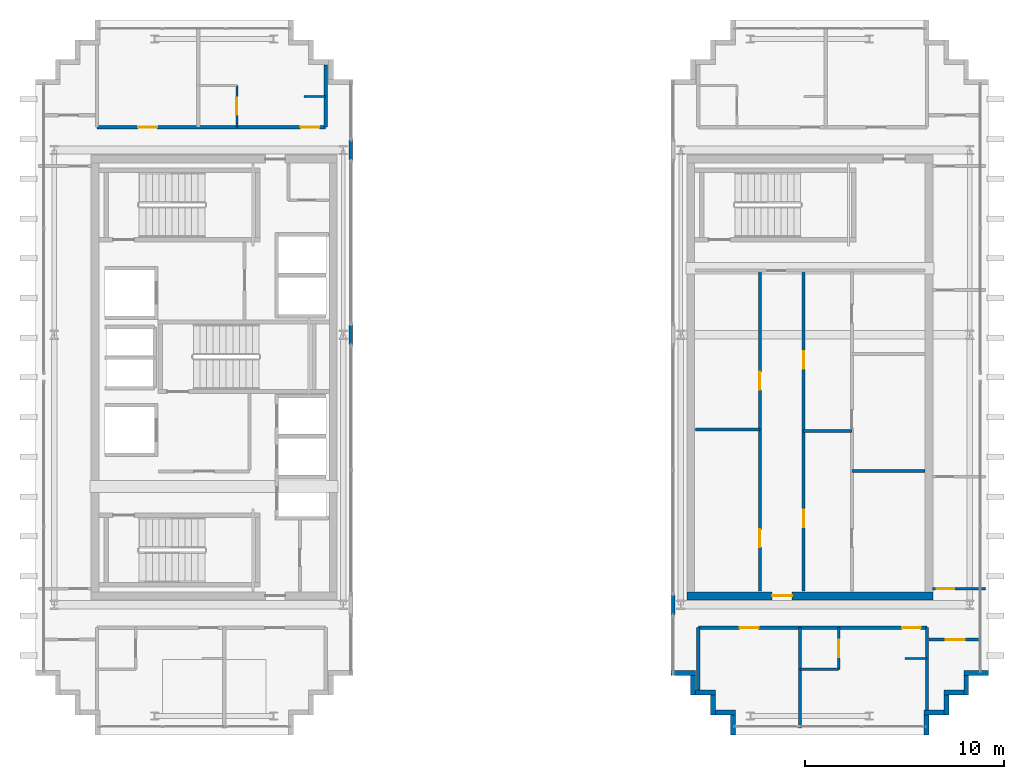
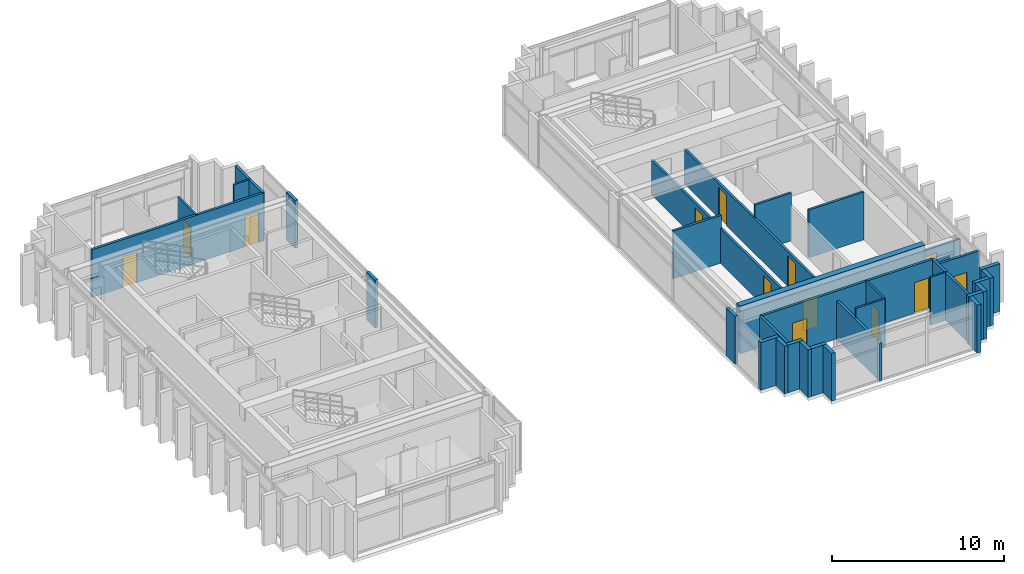
# One storey, part 21 of 25: 34 walls, 13 doors, 13 openings.
"""IFC4 building model written with IfcOpenShell, lengths in metres."""

from ifc_helpers import new_model, si_unit, direction, frame, frame_2d, origin, place, context, subcontext, project, spatial, rectangle, extrude, source, transform, mapped, material, layer, layer_set, type_object, element, fill, save


model = new_model("IFC4")

# Units and contexts
model_context = context("Model", 3, precision=1e-05, world=origin(), true_north=direction((0.0, 1.0)))
body_context = subcontext(model_context, "Body", "Model", "MODEL_VIEW")
ifc_project = project(units=[si_unit("LENGTHUNIT", "METRE"), si_unit("AREAUNIT", "SQUARE_METRE"), si_unit("VOLUMEUNIT", "CUBIC_METRE"), si_unit("PLANEANGLEUNIT", "RADIAN"), si_unit("MASSUNIT", "GRAM", prefix="KILO")], contexts=[model_context])

# Site, building, storey
site_placement = place(None, origin())
site = spatial("IfcSite", under=ifc_project, at=site_placement, CompositionType="ELEMENT")
building_placement = place(site_placement, origin())
building = spatial("IfcBuilding", under=site, at=building_placement, Name="Ocotamira Hotel", CompositionType="ELEMENT")
storey_placement = place(building_placement, frame((0.0, 0.0, 261.60009765625)))
storey = spatial("IfcBuildingStorey", under=building, at=storey_placement, Name="L66", CompositionType="ELEMENT", Elevation=261.60009765625)

# Wall, opening, door
ifc_material_1 = material(Name="Concrete C50/60", Category="concrete")
ifc_layer_1 = layer(ifc_material_1, 0.39990234375)
ifc_layer_set_1 = layer_set([ifc_layer_1], Name="Concrete C50/60")
wall_type_1 = type_object("IfcWallType", Name="WL-CORE-400", PredefinedType="SHEAR", material=ifc_layer_set_1)
wall_1_placement = place(storey_placement, frame((40.800048828125, 15.0, 0.0), z_axis=(0.0, 0.0, 1.0), x_axis=(1.0, 0.0, 0.0)))
wall_1 = element("IfcWall", 1, at=wall_1_placement, inside=storey, type_object=wall_type_1, Name="L66 Shear Core Wall ECORE-S", PredefinedType="SHEAR", context=body_context, shape_type="SweptSolid", body=[
    extrude(rectangle(XDim=12.39990234375, YDim=0.39990234375, at=frame_2d((6.199951171875, 0.0))), origin(), (0.0, 0.0, 1.0), 3.3798828125),
])
opening_1_placement = place(wall_1_placement, frame((4.300048828125, 0.0, 0.0)))
opening_1 = element("IfcOpeningElement", 2, at=opening_1_placement, cuts=wall_1, Name="Opening D-FR2", PredefinedType="OPENING", context=body_context, shape_type="SweptSolid", body=[
    extrude(rectangle(XDim=1.0, YDim=2.14990234375, at=frame_2d((0.5, 1.074951171875))), frame((0.0, 0.2099609375, 0.0), z_axis=(0.0, -1.0, 0.0), x_axis=(1.0, 0.0, 0.0)), (0.0, 0.0, 1.0), 0.419921875),
])
ifc_material_2 = material(Name="Fire-rated acoustic timber-veneer door", Category="wood")
door_type_1 = type_object("IfcDoorType", Name="DR-FIRE-1000", OperationType="NOTDEFINED", PredefinedType="DOOR", material=ifc_material_2)
shared_shape_1 = source(origin(), body_context, "Body", "SweptSolid", [
    extrude(rectangle(XDim=1.0, YDim=2.14990234375, at=frame_2d((0.5, 1.074951171875))), frame((0.0, 0.02490234375, 0.0), z_axis=(0.0, -1.0, 0.0), x_axis=(1.0, 0.0, 0.0)), (0.0, 0.0, 1.0), 0.050048828125),
])
door_1_placement = place(opening_1_placement, origin())
door_1 = element("IfcDoor", 3, at=door_1_placement, inside=storey, type_object=door_type_1, Name="L66 Door ID-L66-ELOB-S-D [ID-L66-ELOB-S-D]", OperationType="SINGLE_SWING_RIGHT", OverallHeight=2.14990234375, OverallWidth=1.0, PredefinedType="DOOR", context=body_context, shape_type="MappedRepresentation", body=[
    mapped(shared_shape_1, transform((0.0, 0.0, 0.0), scale=1.0)),
])
fill(opening_1, door_1)

# Walls
ifc_material_3 = material(Name="Precast concrete C45/55", Category="concrete")
ifc_layer_2 = layer(ifc_material_3, 0.25)
ifc_layer_set_2 = layer_set([ifc_layer_2], Name="Precast concrete C45/55")
wall_type_2 = type_object("IfcWallType", Name="WL-EXT-SER-250", PredefinedType="SOLIDWALL", material=ifc_layer_set_2)
for number, where, z_axis, x_axis, name in (
    (4, (52.875, 8.0, 0.0), (0.0, 0.0, 1.0), (0.0, 1.0, 0.0), "L66 -E Serrated Corner Wall 01"),
    (5, (52.75, 9.125, 0.0), (0.0, 0.0, 1.0), (1.0, 0.0, 0.0), "L66 -E Serrated Corner Wall 02"),
    (6, (53.875, 9.0, 0.0), (0.0, 0.0, 1.0), (0.0, 1.0, 0.0), "L66 -E Serrated Corner Wall 03"),
    (7, (53.75, 10.125, 0.0), (0.0, 0.0, 1.0), (1.0, 0.0, 0.0), "L66 -E Serrated Corner Wall 04"),
    (8, (54.875, 10.0, 0.0), (0.0, 0.0, 1.0), (0.0, 1.0, 0.0), "L66 -E Serrated Corner Wall 05"),
):
    element("IfcWall", number, at=place(storey_placement, frame(where, z_axis=z_axis, x_axis=x_axis)), inside=storey, type_object=wall_type_2, Name=name, PredefinedType="SOLIDWALL", context=body_context, shape_type="SweptSolid", body=[
        extrude(rectangle(XDim=1.0, YDim=0.25, at=frame_2d((0.5, 0.0))), origin(), (0.0, 0.0, 1.0), 3.3798828125),
    ])
for number, where, z_axis, x_axis, name in (
    (9, (54.75, 11.125, 0.0), (0.0, 0.0, 1.0), (1.0, 0.0, 0.0), "L66 -E Serrated Corner Wall 06"),
    (10, (40.0, 11.125, 0.0), (0.0, 0.0, 1.0), (1.0, 0.0, 0.0), "L66 -E Serrated Corner Wall 19"),
):
    element("IfcWall", number, at=place(storey_placement, frame(where, z_axis=z_axis, x_axis=x_axis)), inside=storey, type_object=wall_type_2, Name=name, PredefinedType="SOLIDWALL", context=body_context, shape_type="SweptSolid", body=[
        extrude(rectangle(XDim=1.25, YDim=0.25, at=frame_2d((0.625, 0.0))), origin(), (0.0, 0.0, 1.0), 3.3798828125),
    ])
for number, where, z_axis, x_axis, name in (
    (11, (41.125, 11.0, 0.0), (0.0, 0.0, 1.0), (0.0, -1.0, 0.0), "L66 -E Serrated Corner Wall 20"),
    (12, (41.25, 10.125, 0.0), (0.0, 0.0, 1.0), (1.0, 0.0, 0.0), "L66 -E Serrated Corner Wall 21"),
    (13, (42.125, 10.0, 0.0), (0.0, 0.0, 1.0), (0.0, -1.0, 0.0), "L66 -E Serrated Corner Wall 22"),
    (14, (42.25, 9.125, 0.0), (0.0, 0.0, 1.0), (1.0, 0.0, 0.0), "L66 -E Serrated Corner Wall 23"),
    (15, (43.125, 9.0, 0.0), (0.0, 0.0, 1.0), (0.0, -1.0, 0.0), "L66 -E Serrated Corner Wall 24"),
):
    element("IfcWall", number, at=place(storey_placement, frame(where, z_axis=z_axis, x_axis=x_axis)), inside=storey, type_object=wall_type_2, Name=name, PredefinedType="SOLIDWALL", context=body_context, shape_type="SweptSolid", body=[
        extrude(rectangle(XDim=1.0, YDim=0.25, at=frame_2d((0.5, 0.0))), origin(), (0.0, 0.0, 1.0), 3.3798828125),
    ])

# Wall, openings, doors
ifc_material_4 = material(Name="Acoustic double-layer fire gypsum board partition", Category="gypsum")
ifc_layer_3 = layer(ifc_material_4, 0.159912109375)
ifc_layer_set_3 = layer_set([ifc_layer_3], Name="Acoustic double-layer fire gypsum board partition")
wall_type_3 = type_object("IfcWallType", Name="WL-FIRE-160", PredefinedType="PARTITIONING", material=ifc_layer_set_3)
wall_2_placement = place(storey_placement, frame((11.10009765625, 38.60009765625, 0.0), z_axis=(0.0, 0.0, 1.0), x_axis=(1.0, 0.0, 0.0)))
wall_2 = element("IfcWall", 16, at=wall_2_placement, inside=storey, type_object=wall_type_3, Name="L66 Interior Wall PW-L66-SPW1N-CORRW", PredefinedType="PARTITIONING", context=body_context, shape_type="SweptSolid", body=[
    extrude(rectangle(XDim=11.52001953125, YDim=0.159912109375, at=frame_2d((5.760009765625, 0.0))), origin(), (0.0, 0.0, 1.0), 3.3798828125),
])
opening_2_placement = place(wall_2_placement, frame((2.070068359375, 0.0, 0.0)))
opening_2 = element("IfcOpeningElement", 17, at=opening_2_placement, cuts=wall_2, Name="Opening D-SV4", PredefinedType="OPENING", context=body_context, shape_type="SweptSolid", body=[
    extrude(rectangle(XDim=0.9599609375, YDim=2.14990234375, at=frame_2d((0.47998046875, 1.074951171875))), frame((0.0, 0.08984375, 0.0), z_axis=(0.0, -1.0, 0.0), x_axis=(1.0, 0.0, 0.0)), (0.0, 0.0, 1.0), 0.179931640625),
])
opening_3_placement = place(wall_2_placement, frame((10.260009765625, 0.0, 0.0)))
opening_3 = element("IfcOpeningElement", 18, at=opening_3_placement, cuts=wall_2, Name="Opening D-GR1", PredefinedType="OPENING", context=body_context, shape_type="SweptSolid", body=[
    extrude(rectangle(XDim=0.93994140625, YDim=2.14990234375, at=frame_2d((0.469970703125, 1.074951171875))), frame((0.0, 0.08984375, 0.0), z_axis=(0.0, -1.0, 0.0), x_axis=(1.0, 0.0, 0.0)), (0.0, 0.0, 1.0), 0.179931640625),
])
ifc_material_5 = material(Name="Fire-rated accessible walnut salon door", Category="wood")
door_type_2 = type_object("IfcDoorType", Name="DR-SERV-960", OperationType="NOTDEFINED", PredefinedType="DOOR", material=ifc_material_5)
shared_shape_2 = source(origin(), body_context, "Body", "SweptSolid", [
    extrude(rectangle(XDim=0.9599609375, YDim=2.14990234375, at=frame_2d((0.47998046875, 1.074951171875))), frame((0.0, 0.02490234375, 0.0), z_axis=(0.0, -1.0, 0.0), x_axis=(1.0, 0.0, 0.0)), (0.0, 0.0, 1.0), 0.050048828125),
])
door_2_placement = place(opening_2_placement, origin())
door_2 = element("IfcDoor", 19, at=door_2_placement, inside=storey, type_object=door_type_2, Name="L66 Door ID-L66-SPW1N-AMD1 [ID-L66-SPW1N-AMD1]", OperationType="SINGLE_SWING_LEFT", OverallHeight=2.14990234375, OverallWidth=0.9599609375, PredefinedType="DOOR", context=body_context, shape_type="MappedRepresentation", body=[
    mapped(shared_shape_2, transform((0.0, 0.0, 0.0), scale=1.0)),
])
fill(opening_2, door_2)
ifc_material_6 = material(Name="Solid-core walnut suite entrance fire door", Category="wood")
door_type_3 = type_object("IfcDoorType", Name="DR-GUEST-940", OperationType="NOTDEFINED", PredefinedType="DOOR", material=ifc_material_6)
shared_shape_3 = source(origin(), body_context, "Body", "SweptSolid", [
    extrude(rectangle(XDim=0.93994140625, YDim=2.14990234375, at=frame_2d((0.469970703125, 1.074951171875))), frame((0.0, 0.02490234375, 0.0), z_axis=(0.0, -1.0, 0.0), x_axis=(1.0, 0.0, 0.0)), (0.0, 0.0, 1.0), 0.050048828125),
])
door_3_placement = place(opening_3_placement, origin())
door_3 = element("IfcDoor", 20, at=door_3_placement, inside=storey, type_object=door_type_3, Name="L66 Door ID-L66-SPW1N-RMD2 [ID-L66-SPW1N-RMD2]", OperationType="SINGLE_SWING_RIGHT", OverallHeight=2.14990234375, OverallWidth=0.93994140625, PredefinedType="DOOR", context=body_context, shape_type="MappedRepresentation", body=[
    mapped(shared_shape_3, transform((0.0, 0.0, 0.0), scale=1.0)),
])
fill(opening_3, door_3)

wall_3_placement = place(storey_placement, frame((41.3798828125, 13.39990234375, 0.0), z_axis=(0.0, 0.0, 1.0), x_axis=(1.0, 0.0, 0.0)))
wall_3 = element("IfcWall", 21, at=wall_3_placement, inside=storey, type_object=wall_type_3, Name="L66 Interior Wall PW-L66-SPE1S-CORRW", PredefinedType="PARTITIONING", context=body_context, shape_type="SweptSolid", body=[
    extrude(rectangle(XDim=11.52001953125, YDim=0.159912109375, at=frame_2d((5.760009765625, 0.0))), origin(), (0.0, 0.0, 1.0), 3.3798828125),
])
opening_4_placement = place(wall_3_placement, frame((2.080078125, 0.0, 0.0)))
opening_4 = element("IfcOpeningElement", 22, at=opening_4_placement, cuts=wall_3, Name="Opening D-SV4", PredefinedType="OPENING", context=body_context, shape_type="SweptSolid", body=[
    extrude(rectangle(XDim=0.9599609375, YDim=2.14990234375, at=frame_2d((0.47998046875, 1.074951171875))), frame((0.0, 0.08984375, 0.0), z_axis=(0.0, -1.0, 0.0), x_axis=(1.0, 0.0, 0.0)), (0.0, 0.0, 1.0), 0.179931640625),
])
opening_5_placement = place(wall_3_placement, frame((10.260009765625, 0.0, 0.0)))
opening_5 = element("IfcOpeningElement", 23, at=opening_5_placement, cuts=wall_3, Name="Opening D-GR1", PredefinedType="OPENING", context=body_context, shape_type="SweptSolid", body=[
    extrude(rectangle(XDim=0.93994140625, YDim=2.14990234375, at=frame_2d((0.469970703125, 1.074951171875))), frame((0.0, 0.08984375, 0.0), z_axis=(0.0, -1.0, 0.0), x_axis=(1.0, 0.0, 0.0)), (0.0, 0.0, 1.0), 0.179931640625),
])
door_4_placement = place(opening_4_placement, origin())
door_4 = element("IfcDoor", 24, at=door_4_placement, inside=storey, type_object=door_type_2, Name="L66 Door ID-L66-SPE1S-AMD1 [ID-L66-SPE1S-AMD1]", OperationType="SINGLE_SWING_LEFT", OverallHeight=2.14990234375, OverallWidth=0.9599609375, PredefinedType="DOOR", context=body_context, shape_type="MappedRepresentation", body=[
    mapped(shared_shape_2, transform((0.0, 0.0, 0.0), scale=1.0)),
])
fill(opening_4, door_4)
door_5_placement = place(opening_5_placement, origin())
door_5 = element("IfcDoor", 25, at=door_5_placement, inside=storey, type_object=door_type_3, Name="L66 Door ID-L66-SPE1S-RMD2 [ID-L66-SPE1S-RMD2]", OperationType="SINGLE_SWING_RIGHT", OverallHeight=2.14990234375, OverallWidth=0.93994140625, PredefinedType="DOOR", context=body_context, shape_type="MappedRepresentation", body=[
    mapped(shared_shape_3, transform((0.0, 0.0, 0.0), scale=1.0)),
])
fill(opening_5, door_5)

# Wall, opening, door
wall_4_placement = place(storey_placement, frame((53.0, 12.800048828125, 0.0), z_axis=(0.0, 0.0, 1.0), x_axis=(1.0, 0.0, 0.0)))
wall_4 = element("IfcWall", 26, at=wall_4_placement, inside=storey, type_object=wall_type_3, Name="L66 Interior Wall PW-L66-SPCSE1-CW", PredefinedType="PARTITIONING", context=body_context, shape_type="SweptSolid", body=[
    extrude(rectangle(XDim=2.64990234375, YDim=0.159912109375, at=frame_2d((1.324951171875, 0.0))), origin(), (0.0, 0.0, 1.0), 3.3798828125),
])
opening_6_placement = place(wall_4_placement, frame((0.844970703125, 0.0, 0.0)))
opening_6 = element("IfcOpeningElement", 27, at=opening_6_placement, cuts=wall_4, Name="Opening D-SV4", PredefinedType="OPENING", context=body_context, shape_type="SweptSolid", body=[
    extrude(rectangle(XDim=0.9599609375, YDim=2.14990234375, at=frame_2d((0.47998046875, 1.074951171875))), frame((0.0, 0.08984375, 0.0), z_axis=(0.0, -1.0, 0.0), x_axis=(1.0, 0.0, 0.0)), (0.0, 0.0, 1.0), 0.179931640625),
])
door_6_placement = place(opening_6_placement, origin())
door_6 = element("IfcDoor", 28, at=door_6_placement, inside=storey, type_object=door_type_2, Name="L66 Door ID-L66-SPCSE1-CD [ID-L66-SPCSE1-CD]", OperationType="SINGLE_SWING_LEFT", OverallHeight=2.14990234375, OverallWidth=0.9599609375, PredefinedType="DOOR", context=body_context, shape_type="MappedRepresentation", body=[
    mapped(shared_shape_2, transform((0.0, 0.0, 0.0), scale=1.0)),
])
fill(opening_6, door_6)

# Walls
ifc_layer_4 = layer(ifc_material_3, 0.219970703125)
ifc_layer_set_4 = layer_set([ifc_layer_4], Name="Precast concrete C45/55")
wall_type_4 = type_object("IfcWallType", Name="WL-PARA-220", PredefinedType="PARAPET", material=ifc_layer_set_4)
for number, where, z_axis, x_axis, name in (
    (29, (23.8798828125, 27.64990234375, 0.0), (0.0, 0.0, 1.0), (0.0, 1.0, 0.0), "L66 Split-Wing Column Spandrel Closure W2"),
    (30, (23.8798828125, 36.949951171875, 0.0), (0.0, 0.0, 1.0), (0.0, 1.0, 0.0), "L66 Split-Wing Column Spandrel Closure W3"),
    (31, (40.1201171875, 14.050048828125, 0.0), (0.0, 0.0, 1.0), (0.0, 1.0, 0.0), "L66 Split-Wing Column Spandrel Closure E1"),
):
    element("IfcWall", number, at=place(storey_placement, frame(where, z_axis=z_axis, x_axis=x_axis)), inside=storey, type_object=wall_type_4, Name=name, PredefinedType="PARAPET", context=body_context, shape_type="SweptSolid", body=[
        extrude(rectangle(XDim=1.0, YDim=0.199951171875, at=frame_2d((0.5, 0.0))), origin(), (0.0, 0.0, 1.0), 3.3798828125),
    ])

# Wall, opening, door
ifc_material_7 = material(Name="Moisture-resistant en-suite tile and gypsum partition", Category="gypsum")
ifc_layer_5 = layer(ifc_material_7, 0.1201171875)
ifc_layer_set_5 = layer_set([ifc_layer_5], Name="Moisture-resistant en-suite tile and gypsum partition")
wall_type_5 = type_object("IfcWallType", Name="WL-PART-120", PredefinedType="PARTITIONING", material=ifc_layer_set_5)
wall_5_placement = place(storey_placement, frame((18.14990234375, 38.60009765625, 0.0), z_axis=(0.0, 0.0, 1.0), x_axis=(0.0, 1.0, 0.0)))
wall_5 = element("IfcWall", 32, at=wall_5_placement, inside=storey, type_object=wall_type_5, Name="L66 Interior Wall PW-L66-SPW1N-BAE2", PredefinedType="PARTITIONING", context=body_context, shape_type="SweptSolid", body=[
    extrude(rectangle(XDim=2.099853515625, YDim=0.1201171875, at=frame_2d((1.0498046875, 0.0))), origin(), (0.0, 0.0, 1.0), 3.3798828125),
])
opening_7_placement = place(wall_5_placement, frame((0.6201171875, 0.0, 0.0)))
opening_7 = element("IfcOpeningElement", 33, at=opening_7_placement, cuts=wall_5, Name="Opening D-BA1", PredefinedType="OPENING", context=body_context, shape_type="SweptSolid", body=[
    extrude(rectangle(XDim=0.860107421875, YDim=2.10009765625, at=frame_2d((0.43017578125, 1.050048828125))), frame((0.0, 0.070068359375, 0.0), z_axis=(0.0, -1.0, 0.0), x_axis=(1.0, 0.0, 0.0)), (0.0, 0.0, 1.0), 0.14013671875),
])
ifc_material_8 = material(Name="Moisture-sealed en-suite timber door", Category="wood")
door_type_4 = type_object("IfcDoorType", Name="DR-BATH-860", OperationType="NOTDEFINED", PredefinedType="DOOR", material=ifc_material_8)
shared_shape_4 = source(origin(), body_context, "Body", "SweptSolid", [
    extrude(rectangle(XDim=0.860107421875, YDim=2.10009765625, at=frame_2d((0.43017578125, 1.050048828125))), frame((0.0, 0.02490234375, 0.0), z_axis=(0.0, -1.0, 0.0), x_axis=(1.0, 0.0, 0.0)), (0.0, 0.0, 1.0), 0.050048828125),
])
door_7_placement = place(opening_7_placement, origin())
door_7 = element("IfcDoor", 34, at=door_7_placement, inside=storey, type_object=door_type_4, Name="L66 Door ID-L66-SPW1N-BAD2 [ID-L66-SPW1N-BAD2]", OperationType="SINGLE_SWING_LEFT", OverallHeight=2.10009765625, OverallWidth=0.860107421875, PredefinedType="DOOR", context=body_context, shape_type="MappedRepresentation", body=[
    mapped(shared_shape_4, transform((0.0, 0.0, 0.0), scale=1.0)),
])
fill(opening_7, door_7)

# Wall
wall_6_placement = place(storey_placement, frame((21.52001953125, 40.14990234375, 0.0), z_axis=(0.0, 0.0, 1.0), x_axis=(1.0, 0.0, 0.0)))
element("IfcWall", 35, at=wall_6_placement, inside=storey, type_object=wall_type_5, Name="L66 Interior Wall PW-L66-SPW1N-DRN2", PredefinedType="PARTITIONING", context=body_context, shape_type="SweptSolid", body=[
    extrude(rectangle(XDim=1.10009765625, YDim=0.1201171875, at=frame_2d((0.550048828125, 0.0))), origin(), (0.0, 0.0, 1.0), 3.3798828125),
])

# Wall, opening, door
wall_7_placement = place(storey_placement, frame((48.449951171875, 11.300048828125, 0.0), z_axis=(0.0, 0.0, 1.0), x_axis=(0.0, 1.0, 0.0)))
wall_7 = element("IfcWall", 36, at=wall_7_placement, inside=storey, type_object=wall_type_5, Name="L66 Interior Wall PW-L66-SPE1S-BAE2", PredefinedType="PARTITIONING", context=body_context, shape_type="SweptSolid", body=[
    extrude(rectangle(XDim=2.099853515625, YDim=0.1201171875, at=frame_2d((1.0498046875, 0.0))), origin(), (0.0, 0.0, 1.0), 3.3798828125),
])
opening_8_placement = place(wall_7_placement, frame((0.6201171875, 0.0, 0.0)))
opening_8 = element("IfcOpeningElement", 37, at=opening_8_placement, cuts=wall_7, Name="Opening D-BA1", PredefinedType="OPENING", context=body_context, shape_type="SweptSolid", body=[
    extrude(rectangle(XDim=0.860107421875, YDim=2.10009765625, at=frame_2d((0.43017578125, 1.050048828125))), frame((0.0, 0.070068359375, 0.0), z_axis=(0.0, -1.0, 0.0), x_axis=(1.0, 0.0, 0.0)), (0.0, 0.0, 1.0), 0.14013671875),
])
door_8_placement = place(opening_8_placement, origin())
door_8 = element("IfcDoor", 38, at=door_8_placement, inside=storey, type_object=door_type_4, Name="L66 Door ID-L66-SPE1S-BAD2 [ID-L66-SPE1S-BAD2]", OperationType="SINGLE_SWING_LEFT", OverallHeight=2.10009765625, OverallWidth=0.860107421875, PredefinedType="DOOR", context=body_context, shape_type="MappedRepresentation", body=[
    mapped(shared_shape_4, transform((0.0, 0.0, 0.0), scale=1.0)),
])
fill(opening_8, door_8)

# Walls
wall_8_placement = place(storey_placement, frame((46.5, 11.300048828125, 0.0), z_axis=(0.0, 0.0, 1.0), x_axis=(1.0, 0.0, 0.0)))
element("IfcWall", 39, at=wall_8_placement, inside=storey, type_object=wall_type_5, Name="L66 Interior Wall PW-L66-SPE1S-BAS2", PredefinedType="PARTITIONING", context=body_context, shape_type="SweptSolid", body=[
    extrude(rectangle(XDim=1.949951171875, YDim=0.1201171875, at=frame_2d((0.97509765625, 0.0))), origin(), (0.0, 0.0, 1.0), 3.3798828125),
])
wall_9_placement = place(storey_placement, frame((51.800048828125, 11.85009765625, 0.0), z_axis=(0.0, 0.0, 1.0), x_axis=(1.0, 0.0, 0.0)))
element("IfcWall", 40, at=wall_9_placement, inside=storey, type_object=wall_type_5, Name="L66 Interior Wall PW-L66-SPE1S-DRN2", PredefinedType="PARTITIONING", context=body_context, shape_type="SweptSolid", body=[
    extrude(rectangle(XDim=1.099853515625, YDim=0.1201171875, at=frame_2d((0.5498046875, 0.0))), origin(), (0.0, 0.0, 1.0), 3.3798828125),
])
ifc_material_9 = material(Name="Acoustic hospitality gypsum board partition", Category="gypsum")
ifc_layer_6 = layer(ifc_material_9, 0.14208984375)
ifc_layer_set_6 = layer_set([ifc_layer_6], Name="Acoustic hospitality gypsum board partition")
wall_type_6 = type_object("IfcWallType", Name="WL-PART-142", PredefinedType="PARTITIONING", material=ifc_layer_set_6)
wall_10_placement = place(storey_placement, frame((46.679931640625, 23.300048828125, 0.0), z_axis=(0.0, 0.0, 1.0), x_axis=(1.0, 0.0, 0.0)))
element("IfcWall", 41, at=wall_10_placement, inside=storey, type_object=wall_type_6, Name="L66 Interior Wall PW-L66-EC-HDIV", PredefinedType="PARTITIONING", context=body_context, shape_type="SweptSolid", body=[
    extrude(rectangle(XDim=2.440185546875, YDim=0.14208984375, at=frame_2d((1.22021484375, 0.0))), origin(), (0.0, 0.0, 1.0), 3.3798828125),
])

# Wall, openings, doors
ifc_layer_7 = layer(ifc_material_9, 0.14990234375)
ifc_layer_set_7 = layer_set([ifc_layer_7], Name="Acoustic hospitality gypsum board partition")
wall_type_7 = type_object("IfcWallType", Name="WL-PART-150", PredefinedType="PARTITIONING", material=ifc_layer_set_7)
wall_11_placement = place(storey_placement, frame((46.679931640625, 15.25, 0.0), z_axis=(0.0, 0.0, 1.0), x_axis=(0.0, 1.0, 0.0)))
wall_11 = element("IfcWall", 42, at=wall_11_placement, inside=storey, type_object=wall_type_7, Name="L66 Interior Wall PW-L66-EC-HMT-W", PredefinedType="PARTITIONING", context=body_context, shape_type="SweptSolid", body=[
    extrude(rectangle(XDim=16.1298828125, YDim=0.14990234375, at=frame_2d((8.06494140625, 0.0))), origin(), (0.0, 0.0, 1.0), 2.452880859375),
])
opening_9_placement = place(wall_11_placement, frame((3.199951171875, 0.0, 0.0)))
opening_9 = element("IfcOpeningElement", 43, at=opening_9_placement, cuts=wall_11, Name="Opening D-SV2", PredefinedType="OPENING", context=body_context, shape_type="SweptSolid", body=[
    extrude(rectangle(XDim=0.8798828125, YDim=2.14990234375, at=frame_2d((0.43994140625, 1.074951171875))), frame((0.0, 0.0849609375, 0.0), z_axis=(0.0, -1.0, 0.0), x_axis=(1.0, 0.0, 0.0)), (0.0, 0.0, 1.0), 0.169921875),
])
opening_10_placement = place(wall_11_placement, frame((11.199951171875, 0.0, 0.0)))
opening_10 = element("IfcOpeningElement", 44, at=opening_10_placement, cuts=wall_11, Name="Opening D-SV2", PredefinedType="OPENING", context=body_context, shape_type="SweptSolid", body=[
    extrude(rectangle(XDim=0.8798828125, YDim=2.14990234375, at=frame_2d((0.43994140625, 1.074951171875))), frame((0.0, 0.0849609375, 0.0), z_axis=(0.0, -1.0, 0.0), x_axis=(1.0, 0.0, 0.0)), (0.0, 0.0, 1.0), 0.169921875),
])
ifc_material_10 = material(Name="Fire-rated painted steel service door", Category="steel")
door_type_5 = type_object("IfcDoorType", Name="DR-SERV-880", OperationType="NOTDEFINED", PredefinedType="DOOR", material=ifc_material_10)
shared_shape_5 = source(origin(), body_context, "Body", "SweptSolid", [
    extrude(rectangle(XDim=0.8798828125, YDim=2.14990234375, at=frame_2d((0.43994140625, 1.074951171875))), frame((0.0, 0.02490234375, 0.0), z_axis=(0.0, -1.0, 0.0), x_axis=(1.0, 0.0, 0.0)), (0.0, 0.0, 1.0), 0.050048828125),
])
door_9_placement = place(opening_9_placement, origin())
door_9 = element("IfcDoor", 45, at=door_9_placement, inside=storey, type_object=door_type_5, Name="L66 Door ID-L66-EC-HMTD1 [ID-L66-EC-HMTD1]", OperationType="SINGLE_SWING_RIGHT", OverallHeight=2.14990234375, OverallWidth=0.8798828125, PredefinedType="DOOR", context=body_context, shape_type="MappedRepresentation", body=[
    mapped(shared_shape_5, transform((0.0, 0.0, 0.0), scale=1.0)),
])
fill(opening_9, door_9)
door_10_placement = place(opening_10_placement, origin())
door_10 = element("IfcDoor", 46, at=door_10_placement, inside=storey, type_object=door_type_5, Name="L66 Door ID-L66-EC-HMTD2 [ID-L66-EC-HMTD2]", OperationType="SINGLE_SWING_LEFT", OverallHeight=2.14990234375, OverallWidth=0.8798828125, PredefinedType="DOOR", context=body_context, shape_type="MappedRepresentation", body=[
    mapped(shared_shape_5, transform((0.0, 0.0, 0.0), scale=1.0)),
])
fill(opening_10, door_10)

# Walls
wall_12_placement = place(storey_placement, frame((49.1201171875, 21.2900390625, 0.0), z_axis=(0.0, 0.0, 1.0), x_axis=(1.0, 0.0, 0.0)))
element("IfcWall", 47, at=wall_12_placement, inside=storey, type_object=wall_type_7, Name="L66 Interior Wall PW-L66-EC-FDIV1", PredefinedType="PARTITIONING", context=body_context, shape_type="SweptSolid", body=[
    extrude(rectangle(XDim=3.679931640625, YDim=0.14990234375, at=frame_2d((1.83984375, 0.0))), origin(), (0.0, 0.0, 1.0), 3.3798828125),
])
wall_13_placement = place(storey_placement, frame((41.25, 23.3798828125, 0.0), z_axis=(0.0, 0.0, 1.0), x_axis=(1.0, 0.0, 0.0)))
element("IfcWall", 48, at=wall_13_placement, inside=storey, type_object=wall_type_7, Name="L66 Interior Wall PW-L66-EC-FMID-DIV", PredefinedType="PARTITIONING", context=body_context, shape_type="SweptSolid", body=[
    extrude(rectangle(XDim=3.22998046875, YDim=0.14990234375, at=frame_2d((1.614990234375, 0.0))), origin(), (0.0, 0.0, 1.0), 3.3798828125),
])

# Wall, openings, doors
wall_14_placement = place(storey_placement, frame((44.47998046875, 15.25, 0.0), z_axis=(0.0, 0.0, 1.0), x_axis=(0.0, 1.0, 0.0)))
wall_14 = element("IfcWall", 49, at=wall_14_placement, inside=storey, type_object=wall_type_7, Name="L66 Interior Wall PW-L66-EC-FMID-E", PredefinedType="PARTITIONING", context=body_context, shape_type="SweptSolid", body=[
    extrude(rectangle(XDim=16.1298828125, YDim=0.14990234375, at=frame_2d((8.06494140625, 0.0))), origin(), (0.0, 0.0, 1.0), 2.452880859375),
])
opening_11_placement = place(wall_14_placement, frame((2.199951171875, 0.0, 0.0)))
opening_11 = element("IfcOpeningElement", 50, at=opening_11_placement, cuts=wall_14, Name="Opening D-IN3", PredefinedType="OPENING", context=body_context, shape_type="SweptSolid", body=[
    extrude(rectangle(XDim=0.89990234375, YDim=2.14990234375, at=frame_2d((0.449951171875, 1.074951171875))), frame((0.0, 0.0849609375, 0.0), z_axis=(0.0, -1.0, 0.0), x_axis=(1.0, 0.0, 0.0)), (0.0, 0.0, 1.0), 0.169921875),
])
opening_12_placement = place(wall_14_placement, frame((10.1298828125, 0.0, 0.0)))
opening_12 = element("IfcOpeningElement", 51, at=opening_12_placement, cuts=wall_14, Name="Opening D-IN3", PredefinedType="OPENING", context=body_context, shape_type="SweptSolid", body=[
    extrude(rectangle(XDim=0.89990234375, YDim=2.14990234375, at=frame_2d((0.449951171875, 1.074951171875))), frame((0.0, 0.0849609375, 0.0), z_axis=(0.0, -1.0, 0.0), x_axis=(1.0, 0.0, 0.0)), (0.0, 0.0, 1.0), 0.169921875),
])
ifc_material_11 = material(Name="Painted service room door", Category="steel")
door_type_6 = type_object("IfcDoorType", Name="DR-INT-900", OperationType="NOTDEFINED", PredefinedType="DOOR", material=ifc_material_11)
shared_shape_6 = source(origin(), body_context, "Body", "SweptSolid", [
    extrude(rectangle(XDim=0.89990234375, YDim=2.14990234375, at=frame_2d((0.449951171875, 1.074951171875))), frame((0.0, 0.02490234375, 0.0), z_axis=(0.0, -1.0, 0.0), x_axis=(1.0, 0.0, 0.0)), (0.0, 0.0, 1.0), 0.050048828125),
])
door_11_placement = place(opening_11_placement, origin())
door_11 = element("IfcDoor", 52, at=door_11_placement, inside=storey, type_object=door_type_6, Name="L66 Door ID-L66-EC-FMID-D1 [ID-L66-EC-FMID-D1]", OperationType="SINGLE_SWING_RIGHT", OverallHeight=2.14990234375, OverallWidth=0.89990234375, PredefinedType="DOOR", context=body_context, shape_type="MappedRepresentation", body=[
    mapped(shared_shape_6, transform((0.0, 0.0, 0.0), scale=1.0)),
])
fill(opening_11, door_11)
door_12_placement = place(opening_12_placement, origin())
door_12 = element("IfcDoor", 53, at=door_12_placement, inside=storey, type_object=door_type_6, Name="L66 Door ID-L66-EC-FMID-D2 [ID-L66-EC-FMID-D2]", OperationType="SINGLE_SWING_LEFT", OverallHeight=2.14990234375, OverallWidth=0.89990234375, PredefinedType="DOOR", context=body_context, shape_type="MappedRepresentation", body=[
    mapped(shared_shape_6, transform((0.0, 0.0, 0.0), scale=1.0)),
])
fill(opening_12, door_12)

# Wall, opening, door
wall_15_placement = place(storey_placement, frame((53.179931640625, 15.360107421875, 0.0), z_axis=(0.0, 0.0, 1.0), x_axis=(1.0, 0.0, 0.0)))
wall_15 = element("IfcWall", 54, at=wall_15_placement, inside=storey, type_object=wall_type_7, Name="L66 Interior Wall PW-L66-SP1E-WS", PredefinedType="PARTITIONING", context=body_context, shape_type="SweptSolid", body=[
    extrude(rectangle(XDim=2.66015625, YDim=0.14990234375, at=frame_2d((1.330078125, 0.0))), origin(), (0.0, 0.0, 1.0), 2.600830078125),
])
opening_13_placement = place(wall_15_placement, frame((0.199951171875, 0.0, 0.0)))
opening_13 = element("IfcOpeningElement", 55, at=opening_13_placement, cuts=wall_15, Name="Opening D-SV2", PredefinedType="OPENING", context=body_context, shape_type="SweptSolid", body=[
    extrude(rectangle(XDim=0.8798828125, YDim=2.14990234375, at=frame_2d((0.43994140625, 1.074951171875))), frame((0.0, 0.0849609375, 0.0), z_axis=(0.0, -1.0, 0.0), x_axis=(1.0, 0.0, 0.0)), (0.0, 0.0, 1.0), 0.169921875),
])
door_13_placement = place(opening_13_placement, origin())
door_13 = element("IfcDoor", 56, at=door_13_placement, inside=storey, type_object=door_type_5, Name="L66 Door ID-L66-SP1E-DS [ID-L66-SP1E-DS]", OperationType="SINGLE_SWING_RIGHT", OverallHeight=2.14990234375, OverallWidth=0.8798828125, PredefinedType="DOOR", context=body_context, shape_type="MappedRepresentation", body=[
    mapped(shared_shape_5, transform((0.0, 0.0, 0.0), scale=1.0)),
])
fill(opening_13, door_13)

# Walls
ifc_material_12 = material(Name="Acoustic double-stud hospitality gypsum partition", Category="gypsum")
ifc_layer_8 = layer(ifc_material_12, 0.159912109375)
ifc_layer_set_8 = layer_set([ifc_layer_8], Name="Acoustic double-stud hospitality gypsum partition")
wall_type_8 = type_object("IfcWallType", Name="WL-PART-160", PredefinedType="PARTITIONING", material=ifc_layer_set_8)
for number, where, z_axis, x_axis, name in (
    (57, (22.6201171875, 38.60009765625, 0.0), (0.0, 0.0, 1.0), (0.0, 1.0, 0.0), "L66 Interior Wall PW-L66-SPW1N-PWEND"),
    (58, (41.3798828125, 10.260009765625, 0.0), (0.0, 0.0, 1.0), (0.0, 1.0, 0.0), "L66 Interior Wall PW-L66-SPE1S-PW0"),
):
    element("IfcWall", number, at=place(storey_placement, frame(where, z_axis=z_axis, x_axis=x_axis)), inside=storey, type_object=wall_type_8, Name=name, PredefinedType="PARTITIONING", context=body_context, shape_type="SweptSolid", body=[
        extrude(rectangle(XDim=3.139892578125, YDim=0.159912109375, at=frame_2d((1.56982421875, 0.0))), origin(), (0.0, 0.0, 1.0), 3.3798828125),
    ])
wall_16_placement = place(storey_placement, frame((52.89990234375, 9.260009765625, 0.0), z_axis=(0.0, 0.0, 1.0), x_axis=(0.0, 1.0, 0.0)))
element("IfcWall", 59, at=wall_16_placement, inside=storey, type_object=wall_type_8, Name="L66 Interior Wall PW-L66-SPE1S-PWEND", PredefinedType="PARTITIONING", context=body_context, shape_type="SweptSolid", body=[
    extrude(rectangle(XDim=4.139892578125, YDim=0.159912109375, at=frame_2d((2.06982421875, 0.0))), origin(), (0.0, 0.0, 1.0), 3.3798828125),
])
wall_17_placement = place(storey_placement, frame((46.5, 8.360107421875, 0.0), z_axis=(0.0, 0.0, 1.0), x_axis=(0.0, 1.0, 0.0)))
element("IfcWall", 60, at=wall_17_placement, inside=storey, type_object=wall_type_8, Name="L66 Interior Wall PW-L66-SPE1S-PW1", PredefinedType="PARTITIONING", context=body_context, shape_type="SweptSolid", body=[
    extrude(rectangle(XDim=5.039794921875, YDim=0.159912109375, at=frame_2d((2.52001953125, 0.0))), origin(), (0.0, 0.0, 1.0), 2.68701171875),
])

save(model, "model.ifc")
